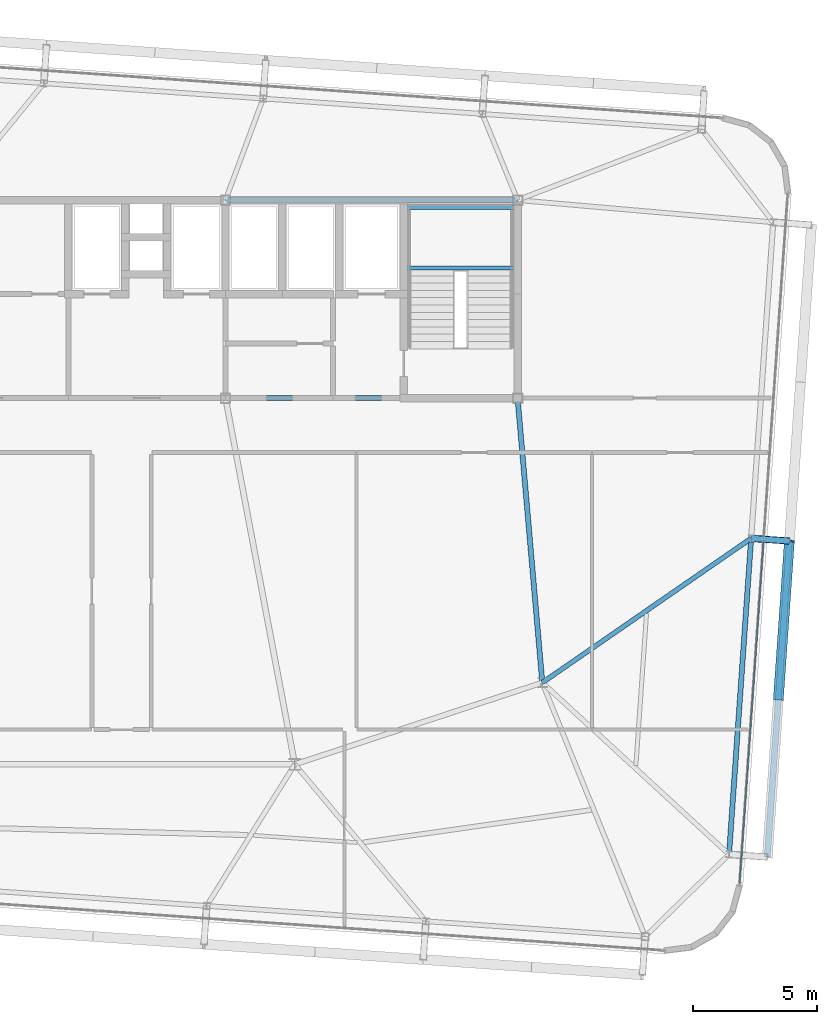
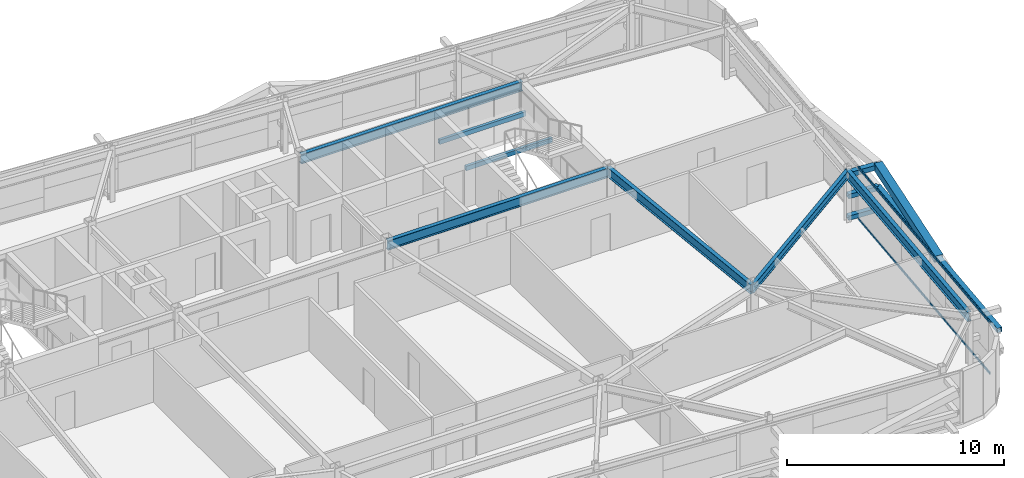
# One storey, part 16 of 39: 7 beams, 7 members, 1 element without a shape of its own.
"""IFC4 building model written with IfcOpenShell, lengths in metres."""

from ifc_helpers import new_model, si_unit, direction, frame, origin, origin_2d, place, context, subcontext, project, spatial, hollow_rectangle, i_section, extrude, source, transform, mapped, material, layer, layer_set, material_profile, profile_set, type_object, element, aggregate, save


model = new_model("IFC4")

# Units and contexts
model_context = context("Model", 3, precision=1e-05, world=origin(), true_north=direction((0.0, 1.0)))
body_context = subcontext(model_context, "Body", "Model", "MODEL_VIEW")
ifc_project = project(units=[si_unit("LENGTHUNIT", "METRE"), si_unit("AREAUNIT", "SQUARE_METRE"), si_unit("VOLUMEUNIT", "CUBIC_METRE"), si_unit("PLANEANGLEUNIT", "RADIAN"), si_unit("MASSUNIT", "GRAM", prefix="KILO")], contexts=[model_context])

# Site, building, storey
site_placement = place(None, origin())
site = spatial("IfcSite", under=ifc_project, at=site_placement, CompositionType="ELEMENT")
building_placement = place(site_placement, origin())
building = spatial("IfcBuilding", under=site, at=building_placement, Name="Taldren Reach Tower", CompositionType="ELEMENT")
storey_placement = place(building_placement, frame((0.0, 0.0, 126.699951171875)))
storey = spatial("IfcBuildingStorey", under=building, at=storey_placement, Name="L38", CompositionType="ELEMENT", Elevation=126.699951171875)

# Beams
ifc_material_1 = material(Name="Steel Gr 350 (350PLUS)", Category="steel")
ifc_material_profile_1 = material_profile(ifc_material_1, i_section(OverallWidth=0.208984375, OverallDepth=0.532958984375, WebThickness=0.01025390625, FlangeThickness=0.015625, at=origin_2d()), Name="530UB92.4")
ifc_profile_set_1 = profile_set([ifc_material_profile_1], Name="Steel Gr 350 (350PLUS)")
beam_type_1 = type_object("IfcBeamType", Name="BM-UB530A", PredefinedType="BEAM", material=ifc_profile_set_1)
shared_shape_1 = source(origin(), body_context, "Body", "SweptSolid", [
    extrude(i_section(OverallWidth=0.208984375, OverallDepth=0.532958984375, WebThickness=0.01025390625, FlangeThickness=0.015625, at=origin_2d()), origin(), (0.0, 0.0, 1.0), 11.800048828125),
])
for number, where, z_axis, x_axis, name in (
    (1, (39.199951171875, 24.0, 2.66357421875), (1.0, 0.0, 0.0), (0.0, 1.0, 0.0), "Core-spine girder L38-SP03"),
    (2, (39.199951171875, 32.0, 2.66357421875), (1.0, 0.0, 0.0), (0.0, 1.0, 0.0), "Core-spine girder L38-SP06"),
):
    element("IfcBeam", number, at=place(storey_placement, frame(where, z_axis=z_axis, x_axis=x_axis)), inside=storey, type_object=beam_type_1, Name=name, PredefinedType="BEAM", context=body_context, shape_type="MappedRepresentation", body=[
        mapped(shared_shape_1, transform((0.0, 0.0, 0.0), scale=1.0)),
    ])
shared_shape_2 = source(origin(), body_context, "Body", "SweptSolid", [
    extrude(i_section(OverallWidth=0.208984375, OverallDepth=0.532958984375, WebThickness=0.01025390625, FlangeThickness=0.015625, at=origin_2d()), origin(), (0.0, 0.0, 1.0), 11.54345703125),
])
beam_1_placement = place(storey_placement, frame((52.0, 12.5, 2.66357421875), z_axis=(-0.086629616365, 0.996240588196, 0.0), x_axis=(-0.996240588196, -0.086629616365, 0.0)))
element("IfcBeam", 3, at=beam_1_placement, inside=storey, type_object=beam_type_1, Name="Core-spine girder L38-SP13", PredefinedType="BEAM", context=body_context, shape_type="MappedRepresentation", body=[
    mapped(shared_shape_2, transform((0.0, 0.0, 0.0), scale=1.0)),
])

# Members
ifc_material_2 = material(Name="Steel Gr 450 (C450L0)", Category="steel")
ifc_material_profile_2 = material_profile(ifc_material_2, hollow_rectangle(XDim=0.27490234375, YDim=0.27490234375, WallThickness=0.00927734375, at=origin_2d()), Name="275x275x9.3SHS")
ifc_profile_set_2 = profile_set([ifc_material_profile_2], Name="Steel Gr 450 (C450L0)")
member_type_1 = type_object("IfcMemberType", Name="MB-TIE273", PredefinedType="STRUT", material=ifc_profile_set_2)
shared_shape_3 = source(origin(), body_context, "Body", "SweptSolid", [
    extrude(hollow_rectangle(XDim=0.27490234375, YDim=0.27490234375, WallThickness=0.00927734375, at=origin_2d()), origin(), (0.0, 0.0, 1.0), 1.5498046875),
])
member_1_placement = place(storey_placement, frame((60.438232421875, 18.331787109375, 2.650146484375), z_axis=(0.997562367434, -0.069780535098, 0.0), x_axis=(0.069780535098, 0.997562367434, 0.0)))
element("IfcMember", 4, at=member_1_placement, inside=storey, type_object=member_type_1, Name="Exoskeleton diaphragm tie strut B3-E2 L38", PredefinedType="STRUT", context=body_context, shape_type="MappedRepresentation", body=[
    mapped(shared_shape_3, transform((0.0, 0.0, 0.0), scale=1.0)),
])
ifc_material_3 = material(Name="Steel Gr 350 (C350L0)", Category="steel")
ifc_material_profile_3 = material_profile(ifc_material_3, hollow_rectangle(XDim=0.25, YDim=0.25, WallThickness=0.010009765625, at=origin_2d()), Name="250x250x10.0SHS")
ifc_profile_set_3 = profile_set([ifc_material_profile_3], Name="Steel Gr 350 (C350L0)")
member_type_2 = type_object("IfcMemberType", Name="MB-POST250", PredefinedType="POST", material=ifc_profile_set_3)
shared_shape_4 = source(origin(), body_context, "Body", "SweptSolid", [
    extrude(hollow_rectangle(XDim=0.25, YDim=0.25, WallThickness=0.010009765625, at=origin_2d()), origin(), (0.0, 0.0, 1.0), 1.5498046875),
])
for number, where, z_axis, x_axis, name in (
    (5, (60.438232421875, 18.331787109375, 0.219970703125), (0.997562367434, -0.069780535098, 0.0), (0.069780535098, 0.997562367434, 0.0), "Exoskeleton base diaphragm tie strut B3-E2 L38"),
    (6, (60.438232421875, 18.331787109375, 1.43505859375), (0.997562367434, -0.069780535098, 0.0), (0.069780535098, 0.997562367434, 0.0), "Exoskeleton mid-tier diaphragm tie B3-E2 L38"),
):
    element("IfcMember", number, at=place(storey_placement, frame(where, z_axis=z_axis, x_axis=x_axis)), inside=storey, type_object=member_type_2, Name=name, PredefinedType="POST", context=body_context, shape_type="MappedRepresentation", body=[
        mapped(shared_shape_4, transform((0.0, 0.0, 0.0), scale=1.0)),
    ])

# Beams
ifc_material_profile_4 = material_profile(ifc_material_1, i_section(OverallWidth=0.208984375, OverallDepth=0.528076171875, WebThickness=0.009521484375, FlangeThickness=0.01318359375, at=origin_2d()), Name="530UB82.0")
ifc_profile_set_4 = profile_set([ifc_material_profile_4], Name="Steel Gr 350 (350PLUS)")
beam_type_2 = type_object("IfcBeamType", Name="SP-UB530B", PredefinedType="SPANDREL", material=ifc_profile_set_4)
shared_shape_5 = source(origin(), body_context, "Body", "SweptSolid", [
    extrude(i_section(OverallWidth=0.208984375, OverallDepth=0.528076171875, WebThickness=0.009521484375, FlangeThickness=0.01318359375, at=origin_2d()), origin(), (0.0, 0.0, 1.0), 12.80029296875),
])
beam_2_placement = place(storey_placement, frame((59.54541015625, 5.562744140625, 2.666015625), z_axis=(0.069750549628, 0.997564464497, 0.0), x_axis=(-0.997564464497, 0.069750549628, 0.0)))
element("IfcBeam", 7, at=beam_2_placement, inside=storey, type_object=beam_type_2, Name="Perimeter spandrel B3 E1-E2 L38", PredefinedType="SPANDREL", context=body_context, shape_type="MappedRepresentation", body=[
    mapped(shared_shape_5, transform((0.0, 0.0, 0.0), scale=1.0)),
])
ifc_material_profile_5 = material_profile(ifc_material_1, i_section(OverallWidth=0.19091796875, OverallDepth=0.4599609375, WebThickness=0.010009765625, FlangeThickness=0.01611328125, at=origin_2d()), Name="460UB82.1")
ifc_profile_set_5 = profile_set([ifc_material_profile_5], Name="Steel Gr 350 (350PLUS)")
beam_type_3 = type_object("IfcBeamType", Name="BM-UB460A", PredefinedType="BEAM", material=ifc_profile_set_5)
shared_shape_6 = source(origin(), body_context, "Body", "SweptSolid", [
    extrude(i_section(OverallWidth=0.19091796875, OverallDepth=0.4599609375, WebThickness=0.010009765625, FlangeThickness=0.01611328125, at=origin_2d()), origin(), (0.0, 0.0, 1.0), 10.25732421875),
])
beam_3_placement = place(storey_placement, frame((52.0, 12.5, 2.699951171875), z_axis=(0.822651197727, 0.568546398175, 0.0), x_axis=(-0.568546398175, 0.822651197727, 0.0)))
element("IfcBeam", 8, at=beam_3_placement, inside=storey, type_object=beam_type_3, Name="Primary floor girder B3-E2 L38", PredefinedType="BEAM", context=body_context, shape_type="MappedRepresentation", body=[
    mapped(shared_shape_6, transform((0.0, 0.0, 0.0), scale=1.0)),
])

# Members
shared_shape_7 = source(origin(), body_context, "Body", "SweptSolid", [
    extrude(hollow_rectangle(XDim=0.25, YDim=0.25, WallThickness=0.010009765625, at=origin_2d()), origin(), (0.0, 0.0, 1.0), 12.800048828125),
])
member_2_placement = place(storey_placement, frame((61.091552734375, 5.454833984375, 1.43505859375), z_axis=(0.069751876777, 0.9975643717, 0.0), x_axis=(-0.9975643717, 0.069751876777, 0.0)))
element("IfcMember", 9, at=member_2_placement, inside=storey, type_object=member_type_2, Name="Exoskeleton mid-height ring chord B3-E1 L38", PredefinedType="POST", context=body_context, shape_type="MappedRepresentation", body=[
    mapped(shared_shape_7, transform((0.0, 0.0, 0.0), scale=1.0)),
])
ifc_material_profile_6 = material_profile(ifc_material_2, hollow_rectangle(XDim=0.409912109375, YDim=0.409912109375, WallThickness=0.01611328125, at=origin_2d()), Name="410x410x16.0SHS")
ifc_profile_set_6 = profile_set([ifc_material_profile_6], Name="Steel Gr 450 (C450L0)")
member_type_3 = type_object("IfcMemberType", Name="MB-EXO406", PredefinedType="BRACE", material=ifc_profile_set_6)
shared_shape_8 = source(origin(), body_context, "Body", "SweptSolid", [
    extrude(hollow_rectangle(XDim=0.409912109375, YDim=0.409912109375, WallThickness=0.01611328125, at=origin_2d()), origin(), (0.0, 0.0, 1.0), 6.514404296875),
])
member_3_placement = place(storey_placement, frame((61.5380859375, 11.839111328125, 1.43505859375), z_axis=(0.068507825937, 0.980059166346, 0.186522674885), x_axis=(-0.997565791441, 0.069731569223, 0.0)))
element("IfcMember", 10, at=member_3_placement, inside=storey, type_object=member_type_3, Name="Exoskeleton Diagrid Brace B3-E1 L38", PredefinedType="BRACE", context=body_context, shape_type="MappedRepresentation", body=[
    mapped(shared_shape_8, transform((0.0, 0.0, 0.0), scale=1.0)),
])

# Curtain wall, members
ifc_material_4 = material(Name="Aluminium and Low-E Glass Unitised System", Category="aluminium")
ifc_layer = layer(ifc_material_4, 0.159912109375)
ifc_layer_set = layer_set([ifc_layer], Name="Aluminium and Low-E Glass Unitised System")
curtain_wall_type = type_object("IfcCurtainWallType", Name="CW-SYS-4", PredefinedType="NOTDEFINED", material=ifc_layer_set)
curtain_wall_placement = place(storey_placement, origin())
curtain_wall = element("IfcCurtainWall", 11, at=curtain_wall_placement, inside=storey, type_object=curtain_wall_type, Name="Unitised curtain wall CW-L38-E", PredefinedType="NOTDEFINED")
ifc_material_5 = material(Name="Anodised Aluminium 6063-T6", Category="aluminium")
ifc_material_profile_7 = material_profile(ifc_material_5, hollow_rectangle(XDim=0.054931640625, YDim=0.1201171875, WallThickness=0.0029296875, at=origin_2d()), Name="ALU-120x55x3RHS")
ifc_profile_set_7 = profile_set([ifc_material_profile_7], Name="Anodised Aluminium 6063-T6")
member_type_4 = type_object("IfcMemberType", Name="CW-TRN-135", PredefinedType="USERDEFINED", material=ifc_profile_set_7)
shared_shape_9 = source(origin(), body_context, "Body", "SweptSolid", [
    extrude(hollow_rectangle(XDim=0.054931640625, YDim=0.1201171875, WallThickness=0.0029296875, at=origin_2d()), origin(), (0.0, 0.0, 1.0), 13.89501953125),
])
member_4_placement = place(storey_placement, frame((59.975341796875, 4.400146484375, 0.027587890625), z_axis=(0.069754817075, 0.997564166104, 0.0), x_axis=(-0.997564166104, 0.069754817075, 0.0)))
member_4 = element("IfcMember", 12, at=member_4_placement, type_object=member_type_4, Name="CW-4 transom 1.1", ObjectType="TRANSOM", PredefinedType="USERDEFINED", context=body_context, shape_type="MappedRepresentation", body=[
    mapped(shared_shape_9, transform((0.0, 0.0, 0.0), scale=1.0)),
])
member_5_placement = place(storey_placement, frame((59.975341796875, 4.400146484375, 2.902587890625), z_axis=(0.069754817075, 0.997564166104, 0.0), x_axis=(-0.997564166104, 0.069754817075, 0.0)))
member_5 = element("IfcMember", 13, at=member_5_placement, type_object=member_type_4, Name="CW-4 transom 1.2", ObjectType="TRANSOM", PredefinedType="USERDEFINED", context=body_context, shape_type="MappedRepresentation", body=[
    mapped(shared_shape_9, transform((0.0, 0.0, 0.0), scale=1.0)),
])
aggregate(curtain_wall, [member_4, member_5])

# Beams
ifc_material_profile_8 = material_profile(ifc_material_3, hollow_rectangle(XDim=0.14990234375, YDim=0.25, WallThickness=0.009033203125, at=origin_2d()), Name="250x150x9.0RHS")
ifc_profile_set_8 = profile_set([ifc_material_profile_8], Name="Steel Gr 350 (C350L0)")
beam_type_4 = type_object("IfcBeamType", Name="LN-RHS250", PredefinedType="LINTEL", material=ifc_profile_set_8)
shared_shape_10 = source(origin(), body_context, "Body", "SweptSolid", [
    extrude(hollow_rectangle(XDim=0.14990234375, YDim=0.25, WallThickness=0.009033203125, at=origin_2d()), origin(), (0.0, 0.0, 1.0), 4.60009765625),
])
for number, where, z_axis, x_axis, name in (
    (14, (46.39990234375, 29.2548828125, 1.27001953125), (1.0, 0.0, 0.0), (0.0, 1.0, 0.0), "Stair half-landing support beam ST2-L38-1"),
    (15, (46.39990234375, 31.699951171875, 1.27001953125), (1.0, 0.0, 0.0), (0.0, 1.0, 0.0), "Stair half-landing support beam ST2-L38-2"),
):
    element("IfcBeam", number, at=place(storey_placement, frame(where, z_axis=z_axis, x_axis=x_axis)), inside=storey, type_object=beam_type_4, Name=name, PredefinedType="LINTEL", context=body_context, shape_type="MappedRepresentation", body=[
        mapped(shared_shape_10, transform((0.0, 0.0, 0.0), scale=1.0)),
    ])

save(model, "model.ifc")
